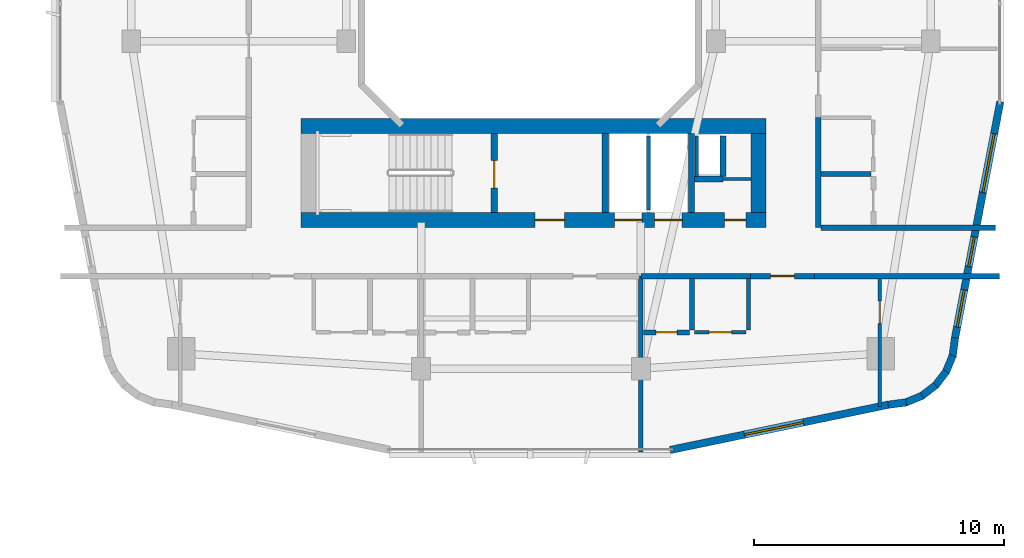
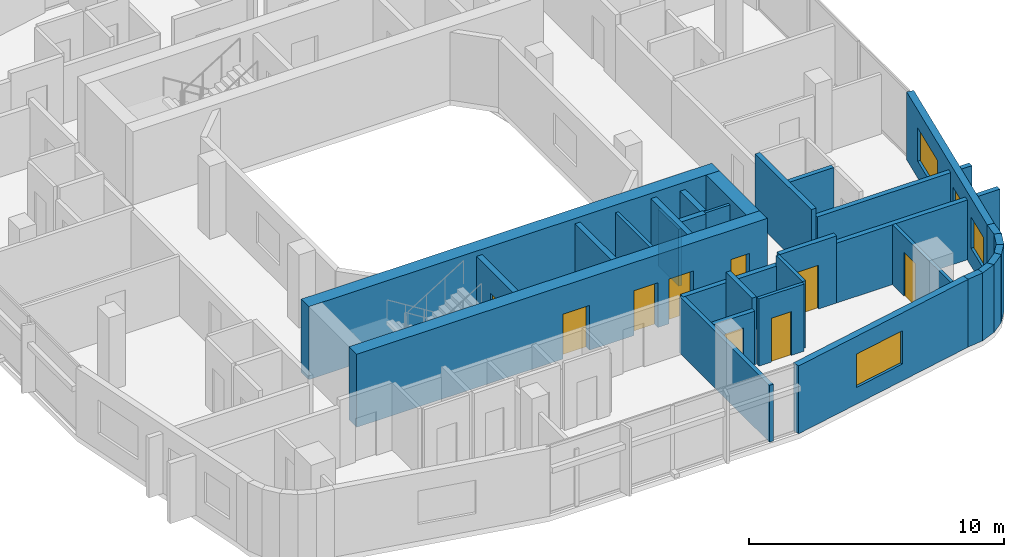
# One storey, part 18 of 26: 31 walls, 9 doors, 4 windows, 13 openings.
"""IFC4 building model written with IfcOpenShell, lengths in metres."""

from ifc_helpers import new_model, si_unit, derived_unit, direction, frame, frame_2d, origin, place, context, subcontext, project, spatial, rectangle, extrude, material, layer, layer_set, type_object, element, fill, save


model = new_model("IFC4")

# Units and contexts
model_context = context("Model", 3, precision=1e-05, world=origin(), true_north=direction((0.0, 1.0)))
body_context = subcontext(model_context, "Body", "Model", "MODEL_VIEW")
ifc_project = project(units=[si_unit("LENGTHUNIT", "METRE"), si_unit("AREAUNIT", "SQUARE_METRE"), si_unit("VOLUMEUNIT", "CUBIC_METRE"), si_unit("PLANEANGLEUNIT", "RADIAN"), si_unit("MASSUNIT", "GRAM", prefix="KILO"), derived_unit("THERMALTRANSMITTANCEUNIT", [(si_unit("POWERUNIT", "WATT"), 1), (si_unit("LENGTHUNIT", "METRE"), -2), (si_unit("THERMODYNAMICTEMPERATUREUNIT", "KELVIN"), -1)])], contexts=[model_context])

# Site, building, storey
site_placement = place(None, origin())
site = spatial("IfcSite", under=ifc_project, at=site_placement, CompositionType="ELEMENT")
building_placement = place(site_placement, origin())
building = spatial("IfcBuilding", under=site, at=building_placement, Name="Kivonza Crest Hotel", CompositionType="ELEMENT")
storey_placement = place(building_placement, frame((0.0, 0.0, 55.5)))
storey = spatial("IfcBuildingStorey", under=building, at=storey_placement, Name="L14", CompositionType="ELEMENT", Elevation=55.5)

# Walls
ifc_material_1 = material(Name="High-density acoustic masonry inter-tenancy wall", Category="masonry")
ifc_layer_1 = layer(ifc_material_1, 0.179931640625)
ifc_layer_set_1 = layer_set([ifc_layer_1], Name="High-density acoustic masonry inter-tenancy wall")
wall_type_1 = type_object("IfcWallType", Name="WL-ACOU-180", PredefinedType="SOLIDWALL", material=ifc_layer_set_1)
wall_1_placement = place(storey_placement, frame((81.39990234375, 5.06005859375, 0.0), z_axis=(0.0, 0.0, 1.0), x_axis=(0.0, 1.0, 0.0)))
element("IfcWall", 1, at=wall_1_placement, inside=storey, type_object=wall_type_1, Name="L14 interior partition WA-L14-T2S-DIV2", PredefinedType="SOLIDWALL", context=body_context, shape_type="SweptSolid", body=[
    extrude(rectangle(XDim=7.0400390625, YDim=0.179931640625, at=frame_2d((3.52001953125, 0.0))), origin(), (0.0, 0.0, 1.0), 2.72509765625),
])
ifc_material_2 = material(Name="Autoclaved aerated concrete blockwork", Category="masonry")
ifc_layer_2 = layer(ifc_material_2, 0.219970703125)
ifc_layer_set_2 = layer_set([ifc_layer_2], Name="Autoclaved aerated concrete blockwork")
wall_type_2 = type_object("IfcWallType", Name="WL-ACOU-220", PredefinedType="SOLIDWALL", material=ifc_layer_set_2)
wall_2_placement = place(storey_placement, frame((81.39990234375, 12.10009765625, 0.0), z_axis=(0.0, 0.0, 1.0), x_axis=(1.0, 0.0, 0.0)))
element("IfcWall", 2, at=wall_2_placement, inside=storey, type_object=wall_type_2, Name="L14 interior partition WA-L14-A05-LCORR", PredefinedType="SOLIDWALL", context=body_context, shape_type="SweptSolid", body=[
    extrude(rectangle(XDim=4.380126953125, YDim=0.219970703125, at=frame_2d((2.18994140625, 0.0))), origin(), (0.0, 0.0, 1.0), 2.72509765625),
])
wall_3_placement = place(storey_placement, frame((88.35009765625, 12.10009765625, 0.0), z_axis=(0.0, 0.0, 1.0), x_axis=(1.0, 0.0, 0.0)))
element("IfcWall", 3, at=wall_3_placement, inside=storey, type_object=wall_type_2, Name="L14 interior partition WA-L14-A05-RCORR", PredefinedType="SOLIDWALL", context=body_context, shape_type="SweptSolid", body=[
    extrude(rectangle(XDim=7.409912109375, YDim=0.219970703125, at=frame_2d((3.705078125, 0.0))), origin(), (0.0, 0.0, 1.0), 2.864990234375),
])

# Wall, opening, door
wall_4_placement = place(storey_placement, frame((85.780029296875, 12.10009765625, 0.0), z_axis=(0.0, 0.0, 1.0), x_axis=(1.0, 0.0, 0.0)))
wall_4 = element("IfcWall", 4, at=wall_4_placement, inside=storey, type_object=wall_type_2, Name="L14 interior partition WA-L14-A05-MCORR", PredefinedType="SOLIDWALL", context=body_context, shape_type="SweptSolid", body=[
    extrude(rectangle(XDim=2.570068359375, YDim=0.219970703125, at=frame_2d((1.28515625, 0.0))), origin(), (0.0, 0.0, 1.0), 3.219970703125),
])
opening_1_placement = place(wall_4_placement, frame((0.81005859375, 0.0, 0.0)))
opening_1 = element("IfcOpeningElement", 5, at=opening_1_placement, cuts=wall_4, Name="Opening DU-60", PredefinedType="OPENING", context=body_context, shape_type="SweptSolid", body=[
    extrude(rectangle(XDim=0.949951171875, YDim=2.10009765625, at=frame_2d((0.47509765625, 1.050048828125))), frame((0.0, 0.1201171875, 0.0), z_axis=(0.0, -1.0, 0.0), x_axis=(1.0, 0.0, 0.0)), (0.0, 0.0, 1.0), 0.239990234375),
])
ifc_material_3 = material(Name="Hardwood timber oak", Category="wood")
door_type_1 = type_object("IfcDoorType", Name="DR-UNIT-950", OperationType="NOTDEFINED", PredefinedType="DOOR", material=ifc_material_3)
door_1_placement = place(opening_1_placement, frame((0.949951171875, 0.0, 0.0), z_axis=(0.0, 0.0, 1.0), x_axis=(-1.0, 0.0, 0.0)))
door_1 = element("IfcDoor", 6, at=door_1_placement, inside=storey, type_object=door_type_1, Name="L14 A05 apartment entrance fire door", OperationType="SINGLE_SWING_LEFT", OverallHeight=2.10009765625, OverallWidth=0.949951171875, PredefinedType="DOOR", context=body_context, shape_type="SweptSolid", body=[
    extrude(rectangle(XDim=0.949951171875, YDim=2.10009765625, at=frame_2d((0.47509765625, 1.050048828125))), frame((0.0, 0.02490234375, 0.0), z_axis=(0.0, -1.0, 0.0), x_axis=(1.0, 0.0, 0.0)), (0.0, 0.0, 1.0), 0.050048828125),
])
fill(opening_1, door_1)

# Walls
wall_5_placement = place(storey_placement, frame((88.60009765625, 14.0400390625, 0.0), z_axis=(0.0, 0.0, 1.0), x_axis=(1.0, 0.0, 0.0)))
element("IfcWall", 7, at=wall_5_placement, inside=storey, type_object=wall_type_2, Name="L14 interior partition WA-L14-T2E-ENDS", PredefinedType="SOLIDWALL", context=body_context, shape_type="SweptSolid", body=[
    extrude(rectangle(XDim=7.0, YDim=0.219970703125, at=frame_2d((3.5, 0.0))), origin(), (0.0, 0.0, 1.0), 2.864990234375),
])
wall_6_placement = place(storey_placement, frame((88.5, 14.0400390625, 0.0), z_axis=(0.0, 0.0, 1.0), x_axis=(0.0, 1.0, 0.0)))
element("IfcWall", 8, at=wall_6_placement, inside=storey, type_object=wall_type_2, Name="L14 interior partition WA-L14-A08-BCORR", PredefinedType="SOLIDWALL", context=body_context, shape_type="SweptSolid", body=[
    extrude(rectangle(XDim=4.39990234375, YDim=0.219970703125, at=frame_2d((2.199951171875, 0.0))), origin(), (0.0, 0.0, 1.0), 3.219970703125),
])

# Wall, openings, doors
ifc_material_4 = material(Name="Concrete C60/75", Category="concrete")
ifc_layer_3 = layer(ifc_material_4, 0.60009765625)
ifc_layer_set_3 = layer_set([ifc_layer_3], Name="Concrete C60/75")
wall_type_3 = type_object("IfcWallType", Name="WL-CORE-600", PredefinedType="SHEAR", material=ifc_layer_set_3)
wall_7_placement = place(storey_placement, frame((67.800048828125, 14.340087890625, 0.0), z_axis=(0.0, 0.0, 1.0), x_axis=(1.0, 0.0, 0.0)))
wall_7 = element("IfcWall", 9, at=wall_7_placement, inside=storey, type_object=wall_type_3, Name="Core wall T2-S South L14", PredefinedType="SHEAR", context=body_context, shape_type="SweptSolid", body=[
    extrude(rectangle(XDim=18.599853515625, YDim=0.60009765625, at=frame_2d((9.2998046875, 0.0))), origin(), (0.0, 0.0, 1.0), 3.5),
])
opening_2_placement = place(wall_7_placement, frame((9.35009765625, 0.0, 0.0)))
opening_2 = element("IfcOpeningElement", 10, at=opening_2_placement, cuts=wall_7, Name="Opening DF-60", PredefinedType="OPENING", context=body_context, shape_type="SweptSolid", body=[
    extrude(rectangle(XDim=1.199951171875, YDim=2.14990234375, at=frame_2d((0.60009765625, 1.074951171875))), frame((0.0, 0.31005859375, 0.0), z_axis=(0.0, -1.0, 0.0), x_axis=(1.0, 0.0, 0.0)), (0.0, 0.0, 1.0), 0.6201171875),
])
opening_3_placement = place(wall_7_placement, frame((16.949951171875, 0.0, 0.0)))
opening_3 = element("IfcOpeningElement", 11, at=opening_3_placement, cuts=wall_7, Name="Opening DF-60R", PredefinedType="OPENING", context=body_context, shape_type="SweptSolid", body=[
    extrude(rectangle(XDim=0.85009765625, YDim=2.10009765625, at=frame_2d((0.425048828125, 1.050048828125))), frame((0.0, 0.31005859375, 0.0), z_axis=(0.0, -1.0, 0.0), x_axis=(1.0, 0.0, 0.0)), (0.0, 0.0, 1.0), 0.6201171875),
])
opening_4_placement = place(wall_7_placement, frame((12.550048828125, 0.0, 0.0)))
opening_4 = element("IfcOpeningElement", 12, at=opening_4_placement, cuts=wall_7, Name="Opening LD-120", PredefinedType="OPENING", context=body_context, shape_type="SweptSolid", body=[
    extrude(rectangle(XDim=1.10009765625, YDim=2.14990234375, at=frame_2d((0.550048828125, 1.074951171875))), frame((0.0, 0.31005859375, 0.0), z_axis=(0.0, -1.0, 0.0), x_axis=(1.0, 0.0, 0.0)), (0.0, 0.0, 1.0), 0.6201171875),
])
opening_5_placement = place(wall_7_placement, frame((14.14990234375, 0.0, 0.0)))
opening_5 = element("IfcOpeningElement", 13, at=opening_5_placement, cuts=wall_7, Name="Opening LD-120", PredefinedType="OPENING", context=body_context, shape_type="SweptSolid", body=[
    extrude(rectangle(XDim=1.10009765625, YDim=2.14990234375, at=frame_2d((0.550048828125, 1.074951171875))), frame((0.0, 0.31005859375, 0.0), z_axis=(0.0, -1.0, 0.0), x_axis=(1.0, 0.0, 0.0)), (0.0, 0.0, 1.0), 0.6201171875),
])
door_type_2 = type_object("IfcDoorType", Name="DR-FD60-1200", OperationType="NOTDEFINED", PredefinedType="DOOR", material=ifc_material_3)
door_2_placement = place(opening_2_placement, frame((1.199951171875, 0.0, 0.0), z_axis=(0.0, 0.0, 1.0), x_axis=(-1.0, 0.0, 0.0)))
door_2 = element("IfcDoor", 14, at=door_2_placement, inside=storey, type_object=door_type_2, Name="L14 T2-S firefighting lobby fire door", OperationType="SINGLE_SWING_LEFT", OverallHeight=2.14990234375, OverallWidth=1.199951171875, PredefinedType="DOOR", context=body_context, shape_type="SweptSolid", body=[
    extrude(rectangle(XDim=1.199951171875, YDim=2.14990234375, at=frame_2d((0.60009765625, 1.074951171875))), frame((0.0, 0.02490234375, 0.0), z_axis=(0.0, -1.0, 0.0), x_axis=(1.0, 0.0, 0.0)), (0.0, 0.0, 1.0), 0.050048828125),
])
fill(opening_2, door_2)
door_type_3 = type_object("IfcDoorType", Name="DR-FD60-850", OperationType="NOTDEFINED", PredefinedType="DOOR", material=ifc_material_3)
door_3_placement = place(opening_3_placement, frame((0.85009765625, 0.0, 0.0), z_axis=(0.0, 0.0, 1.0), x_axis=(-1.0, 0.0, 0.0)))
door_3 = element("IfcDoor", 15, at=door_3_placement, inside=storey, type_object=door_type_3, Name="L14 T2-S core room door", OperationType="SINGLE_SWING_RIGHT", OverallHeight=2.10009765625, OverallWidth=0.85009765625, PredefinedType="DOOR", context=body_context, shape_type="SweptSolid", body=[
    extrude(rectangle(XDim=0.85009765625, YDim=2.10009765625, at=frame_2d((0.425048828125, 1.050048828125))), frame((0.0, 0.02490234375, 0.0), z_axis=(0.0, -1.0, 0.0), x_axis=(1.0, 0.0, 0.0)), (0.0, 0.0, 1.0), 0.050048828125),
])
fill(opening_3, door_3)
ifc_material_5 = material(Name="Stainless steel", Category="steel")
door_type_4 = type_object("IfcDoorType", Name="DR-LD120-1100", OperationType="NOTDEFINED", PredefinedType="DOOR", material=ifc_material_5)
door_4_placement = place(opening_4_placement, frame((1.10009765625, 0.0, 0.0), z_axis=(0.0, 0.0, 1.0), x_axis=(-1.0, 0.0, 0.0)))
door_4 = element("IfcDoor", 16, at=door_4_placement, inside=storey, type_object=door_type_4, Name="L14 PL-T2-1 passenger lift sliding landing door", OperationType="DOUBLE_DOOR_SLIDING", OverallHeight=2.14990234375, OverallWidth=1.10009765625, PredefinedType="DOOR", context=body_context, shape_type="SweptSolid", body=[
    extrude(rectangle(XDim=1.10009765625, YDim=2.14990234375, at=frame_2d((0.550048828125, 1.074951171875))), frame((0.0, 0.02490234375, 0.0), z_axis=(0.0, -1.0, 0.0), x_axis=(1.0, 0.0, 0.0)), (0.0, 0.0, 1.0), 0.050048828125),
])
fill(opening_4, door_4)
door_5_placement = place(opening_5_placement, frame((1.10009765625, 0.0, 0.0), z_axis=(0.0, 0.0, 1.0), x_axis=(-1.0, 0.0, 0.0)))
door_5 = element("IfcDoor", 17, at=door_5_placement, inside=storey, type_object=door_type_4, Name="L14 PL-T2-2 passenger lift sliding landing door", OperationType="DOUBLE_DOOR_SLIDING", OverallHeight=2.14990234375, OverallWidth=1.10009765625, PredefinedType="DOOR", context=body_context, shape_type="SweptSolid", body=[
    extrude(rectangle(XDim=1.10009765625, YDim=2.14990234375, at=frame_2d((0.550048828125, 1.074951171875))), frame((0.0, 0.02490234375, 0.0), z_axis=(0.0, -1.0, 0.0), x_axis=(1.0, 0.0, 0.0)), (0.0, 0.0, 1.0), 0.050048828125),
])
fill(opening_5, door_5)

# Walls
wall_8_placement = place(storey_placement, frame((67.800048828125, 18.10009765625, 0.0), z_axis=(0.0, 0.0, 1.0), x_axis=(1.0, 0.0, 0.0)))
element("IfcWall", 18, at=wall_8_placement, inside=storey, type_object=wall_type_3, Name="Core wall T2-S North L14", PredefinedType="SHEAR", context=body_context, shape_type="SweptSolid", body=[
    extrude(rectangle(XDim=18.599853515625, YDim=0.60009765625, at=frame_2d((9.2998046875, 0.0))), origin(), (0.0, 0.0, 1.0), 3.5),
])
wall_9_placement = place(storey_placement, frame((86.10009765625, 14.639892578125, 0.0), z_axis=(0.0, 0.0, 1.0), x_axis=(0.0, 1.0, 0.0)))
element("IfcWall", 19, at=wall_9_placement, inside=storey, type_object=wall_type_3, Name="Core wall T2-S East L14", PredefinedType="SHEAR", context=body_context, shape_type="SweptSolid", body=[
    extrude(rectangle(XDim=3.16015625, YDim=0.60009765625, at=frame_2d((1.580078125, 0.0))), origin(), (0.0, 0.0, 1.0), 3.5),
])

# Wall, opening, window
ifc_material_6 = material(Name="Precast concrete C40/50", Category="concrete")
ifc_layer_4 = layer(ifc_material_6, 0.300048828125)
ifc_layer_set_4 = layer_set([ifc_layer_4], Name="Precast concrete C40/50")
wall_type_4 = type_object("IfcWallType", Name="WL-EXT-300", PredefinedType="STANDARD", material=ifc_layer_set_4)
wall_10_placement = place(storey_placement, frame((82.56396484375, 5.135986328125, 0.0), z_axis=(0.0, 0.0, 1.0), x_axis=(0.979128391325, 0.203242695569, 0.0)))
wall_10 = element("IfcWall", 20, at=wall_10_placement, inside=storey, type_object=wall_type_4, Name="L14 T2 exterior insulated wall 9", PredefinedType="STANDARD", context=body_context, shape_type="SweptSolid", body=[
    extrude(rectangle(XDim=8.92041015625, YDim=0.300048828125, at=frame_2d((4.460205078125, 0.0))), origin(), (0.0, 0.0, 1.0), 3.25),
])
opening_6_placement = place(wall_10_placement, frame((3.048095703125, 0.0, 0.800048828125)))
opening_6 = element("IfcOpeningElement", 21, at=opening_6_placement, cuts=wall_10, Name="Opening WN-05", PredefinedType="OPENING", context=body_context, shape_type="SweptSolid", body=[
    extrude(rectangle(XDim=2.39990234375, YDim=1.60009765625, at=frame_2d((1.199951171875, 0.800048828125))), frame((0.0, 0.16015625, 0.0), z_axis=(0.0, -1.0, 0.0), x_axis=(1.0, 0.0, 0.0)), (0.0, 0.0, 1.0), 0.320068359375),
])
ifc_material_7 = material(Name="Thermally broken bronze aluminium and low-E double glazing", Category="aluminium")
window_type_1 = type_object("IfcWindowType", Name="WN-240x160", PartitioningType="TRIPLE_PANEL_VERTICAL", PredefinedType="WINDOW", material=ifc_material_7)
window_1_placement = place(opening_6_placement, origin())
window_1 = element("IfcWindow", 22, at=window_1_placement, inside=storey, type_object=window_type_1, Name="L14 T2 facade window 9", OverallHeight=1.60009765625, OverallWidth=2.39990234375, PartitioningType="SINGLE_PANEL", PredefinedType="WINDOW", context=body_context, shape_type="SweptSolid", body=[
    extrude(rectangle(XDim=2.39990234375, YDim=1.60009765625, at=frame_2d((1.199951171875, 0.800048828125))), frame((0.0, 0.030029296875, 0.0), z_axis=(0.0, -1.0, 0.0), x_axis=(1.0, 0.0, 0.0)), (0.0, 0.0, 1.0), 0.06005859375),
])
fill(opening_6, window_1)

# Walls
wall_11_placement = place(storey_placement, frame((91.29296875, 6.947998046875, 0.0), z_axis=(0.0, 0.0, 1.0), x_axis=(0.991486167159, 0.13021205909, 0.0)))
element("IfcWall", 23, at=wall_11_placement, inside=storey, type_object=wall_type_4, Name="L14 T2 exterior insulated wall 10", PredefinedType="STANDARD", context=body_context, shape_type="SweptSolid", body=[
    extrude(rectangle(XDim=0.729248046875, YDim=0.300048828125, at=frame_2d((0.36474609375, 0.0))), origin(), (0.0, 0.0, 1.0), 3.25),
])
for number, where, z_axis, x_axis, name in (
    (24, (91.965087890625, 7.02392578125, 0.0), (0.0, 0.0, 1.0), (0.923521684703, 0.383546213491, 0.0), "L14 T2 exterior insulated wall 11"),
    (25, (92.60888671875, 7.279052734375, 0.0), (0.0, 0.0, 1.0), (0.79363269798, 0.608397189915, 0.0), "L14 T2 exterior insulated wall 12"),
    (26, (93.166015625, 7.69091796875, 0.0), (0.0, 0.0, 1.0), (0.608603261071, 0.793474681772, 0.0), "L14 T2 exterior insulated wall 13"),
):
    element("IfcWall", number, at=place(storey_placement, frame(where, z_axis=z_axis, x_axis=x_axis)), inside=storey, type_object=wall_type_4, Name=name, PredefinedType="STANDARD", context=body_context, shape_type="SweptSolid", body=[
        extrude(rectangle(XDim=0.74609375, YDim=0.300048828125, at=frame_2d((0.373046875, 0.0))), origin(), (0.0, 0.0, 1.0), 3.25),
    ])
wall_12_placement = place(storey_placement, frame((93.595947265625, 8.23388671875, 0.0), z_axis=(0.0, 0.0, 1.0), x_axis=(0.383430326427, 0.923569805037, 0.0)))
element("IfcWall", 27, at=wall_12_placement, inside=storey, type_object=wall_type_4, Name="L14 T2 exterior insulated wall 14", PredefinedType="STANDARD", context=body_context, shape_type="SweptSolid", body=[
    extrude(rectangle(XDim=0.746337890625, YDim=0.300048828125, at=frame_2d((0.373046875, 0.0))), origin(), (0.0, 0.0, 1.0), 3.25),
])
wall_13_placement = place(storey_placement, frame((93.873046875, 8.868896484375, 0.0), z_axis=(0.0, 0.0, 1.0), x_axis=(0.129339184068, 0.991600411186, 0.0)))
element("IfcWall", 28, at=wall_13_placement, inside=storey, type_object=wall_type_4, Name="L14 T2 exterior insulated wall 15", PredefinedType="STANDARD", context=body_context, shape_type="SweptSolid", body=[
    extrude(rectangle(XDim=0.764404296875, YDim=0.300048828125, at=frame_2d((0.38232421875, 0.0))), origin(), (0.0, 0.0, 1.0), 3.25),
])

# Wall, openings, windows
wall_14_placement = place(storey_placement, frame((93.970947265625, 9.6201171875, 0.0), z_axis=(0.0, 0.0, 1.0), x_axis=(0.188087874316, 0.982152203854, 0.0)))
wall_14 = element("IfcWall", 29, at=wall_14_placement, inside=storey, type_object=wall_type_4, Name="L14 T2 exterior insulated wall 16", PredefinedType="STANDARD", context=body_context, shape_type="SweptSolid", body=[
    extrude(rectangle(XDim=9.6337890625, YDim=0.300048828125, at=frame_2d((4.81689453125, 0.0))), origin(), (0.0, 0.0, 1.0), 3.25),
])
opening_7_placement = place(wall_14_placement, frame((0.451904296875, 0.0, 0.85009765625)))
opening_7 = element("IfcOpeningElement", 30, at=opening_7_placement, cuts=wall_14, Name="Opening WN-02", PredefinedType="OPENING", context=body_context, shape_type="SweptSolid", body=[
    extrude(rectangle(XDim=1.5, YDim=1.5, at=frame_2d((0.75, 0.75))), frame((0.0, 0.16015625, 0.0), z_axis=(0.0, -1.0, 0.0), x_axis=(1.0, 0.0, 0.0)), (0.0, 0.0, 1.0), 0.320068359375),
])
opening_8_placement = place(wall_14_placement, frame((2.9130859375, 0.0, 0.85009765625)))
opening_8 = element("IfcOpeningElement", 31, at=opening_8_placement, cuts=wall_14, Name="Opening WN-01", PredefinedType="OPENING", context=body_context, shape_type="SweptSolid", body=[
    extrude(rectangle(XDim=1.199951171875, YDim=1.5, at=frame_2d((0.60009765625, 0.75))), frame((0.0, 0.16015625, 0.0), z_axis=(0.0, -1.0, 0.0), x_axis=(1.0, 0.0, 0.0)), (0.0, 0.0, 1.0), 0.320068359375),
])
opening_9_placement = place(wall_14_placement, frame((5.927978515625, 0.0, 0.800048828125)))
opening_9 = element("IfcOpeningElement", 32, at=opening_9_placement, cuts=wall_14, Name="Opening WN-05", PredefinedType="OPENING", context=body_context, shape_type="SweptSolid", body=[
    extrude(rectangle(XDim=2.39990234375, YDim=1.60009765625, at=frame_2d((1.199951171875, 0.800048828125))), frame((0.0, 0.16015625, 0.0), z_axis=(0.0, -1.0, 0.0), x_axis=(1.0, 0.0, 0.0)), (0.0, 0.0, 1.0), 0.320068359375),
])
window_type_2 = type_object("IfcWindowType", Name="WN-120x150", PartitioningType="SINGLE_PANEL", PredefinedType="WINDOW", material=ifc_material_7)
window_2_placement = place(opening_8_placement, origin())
window_2 = element("IfcWindow", 33, at=window_2_placement, inside=storey, type_object=window_type_2, Name="L14 T2 facade window 16 bay 2", OverallHeight=1.5, OverallWidth=1.199951171875, PartitioningType="SINGLE_PANEL", PredefinedType="WINDOW", context=body_context, shape_type="SweptSolid", body=[
    extrude(rectangle(XDim=1.199951171875, YDim=1.5, at=frame_2d((0.60009765625, 0.75))), frame((0.0, 0.030029296875, 0.0), z_axis=(0.0, -1.0, 0.0), x_axis=(1.0, 0.0, 0.0)), (0.0, 0.0, 1.0), 0.06005859375),
])
fill(opening_8, window_2)
window_type_3 = type_object("IfcWindowType", Name="WN-150x150", PartitioningType="DOUBLE_PANEL_VERTICAL", PredefinedType="WINDOW", material=ifc_material_7)
window_3_placement = place(opening_7_placement, origin())
window_3 = element("IfcWindow", 34, at=window_3_placement, inside=storey, type_object=window_type_3, Name="L14 T2 facade window 16 bay 1", OverallHeight=1.5, OverallWidth=1.5, PartitioningType="SINGLE_PANEL", PredefinedType="WINDOW", context=body_context, shape_type="SweptSolid", body=[
    extrude(rectangle(XDim=1.5, YDim=1.5, at=frame_2d((0.75, 0.75))), frame((0.0, 0.030029296875, 0.0), z_axis=(0.0, -1.0, 0.0), x_axis=(1.0, 0.0, 0.0)), (0.0, 0.0, 1.0), 0.06005859375),
])
fill(opening_7, window_3)
window_4_placement = place(opening_9_placement, origin())
window_4 = element("IfcWindow", 35, at=window_4_placement, inside=storey, type_object=window_type_1, Name="L14 T2 facade window 16 bay 3", OverallHeight=1.60009765625, OverallWidth=2.39990234375, PartitioningType="SINGLE_PANEL", PredefinedType="WINDOW", context=body_context, shape_type="SweptSolid", body=[
    extrude(rectangle(XDim=2.39990234375, YDim=1.60009765625, at=frame_2d((1.199951171875, 0.800048828125))), frame((0.0, 0.030029296875, 0.0), z_axis=(0.0, -1.0, 0.0), x_axis=(1.0, 0.0, 0.0)), (0.0, 0.0, 1.0), 0.06005859375),
])
fill(opening_9, window_4)

# Walls
ifc_material_8 = material(Name="Concrete blockwork fire-compartment wall", Category="masonry")
ifc_layer_5 = layer(ifc_material_8, 0.25)
ifc_layer_set_5 = layer_set([ifc_layer_5], Name="Concrete blockwork fire-compartment wall")
wall_type_5 = type_object("IfcWallType", Name="WL-FIRE-250", PredefinedType="SOLIDWALL", material=ifc_layer_set_5)
wall_15_placement = place(storey_placement, frame((84.679931640625, 16.080078125, 0.0), z_axis=(0.0, 0.0, 1.0), x_axis=(0.0, 1.0, 0.0)))
element("IfcWall", 36, at=wall_15_placement, inside=storey, type_object=wall_type_5, Name="L14 interior partition WA-L14-T2-S-MEPR-E", PredefinedType="SOLIDWALL", context=body_context, shape_type="SweptSolid", body=[
    extrude(rectangle(XDim=1.619873046875, YDim=0.25, at=frame_2d((0.81005859375, 0.0))), origin(), (0.0, 0.0, 1.0), 3.219970703125),
])
wall_16_placement = place(storey_placement, frame((83.550048828125, 15.97998046875, 0.0), z_axis=(0.0, 0.0, 1.0), x_axis=(1.0, 0.0, 0.0)))
element("IfcWall", 37, at=wall_16_placement, inside=storey, type_object=wall_type_5, Name="L14 interior partition WA-L14-T2-S-MEPR-H", PredefinedType="SOLIDWALL", context=body_context, shape_type="SweptSolid", body=[
    extrude(rectangle(XDim=1.1298828125, YDim=0.25, at=frame_2d((0.56494140625, 0.0))), origin(), (0.0, 0.0, 1.0), 3.219970703125),
])
ifc_material_9 = material(Name="Metal-stud gypsum board partition", Category="gypsum")
ifc_layer_6 = layer(ifc_material_9, 0.125)
ifc_layer_set_6 = layer_set([ifc_layer_6], Name="Metal-stud gypsum board partition")
wall_type_6 = type_object("IfcWallType", Name="WL-PART-125", PredefinedType="PARTITIONING", material=ifc_layer_set_6)
wall_17_placement = place(storey_placement, frame((84.679931640625, 15.97998046875, 0.0), z_axis=(0.0, 0.0, 1.0), x_axis=(1.0, 0.0, 0.0)))
element("IfcWall", 38, at=wall_17_placement, inside=storey, type_object=wall_type_6, Name="L14 interior partition WP-L14-T2-S-T2H", PredefinedType="PARTITIONING", context=body_context, shape_type="SweptSolid", body=[
    extrude(rectangle(XDim=1.1201171875, YDim=0.125, at=frame_2d((0.56005859375, 0.0))), origin(), (0.0, 0.0, 1.0), 3.219970703125),
])
ifc_material_10 = material(Name="Twin-stud acoustic gypsum board partition", Category="gypsum")
ifc_layer_7 = layer(ifc_material_10, 0.14990234375)
ifc_layer_set_7 = layer_set([ifc_layer_7], Name="Twin-stud acoustic gypsum board partition")
wall_type_7 = type_object("IfcWallType", Name="WL-PART-150", PredefinedType="PARTITIONING", material=ifc_layer_set_7)
wall_18_placement = place(storey_placement, frame((83.6298828125, 16.080078125, 0.0), z_axis=(0.0, 0.0, 1.0), x_axis=(0.0, 1.0, 0.0)))
element("IfcWall", 39, at=wall_18_placement, inside=storey, type_object=wall_type_7, Name="L14 interior partition WA-L14-T2-S-MEPR-W", PredefinedType="PARTITIONING", context=body_context, shape_type="SweptSolid", body=[
    extrude(rectangle(XDim=1.619873046875, YDim=0.14990234375, at=frame_2d((0.81005859375, 0.0))), origin(), (0.0, 0.0, 1.0), 2.72509765625),
])
wall_19_placement = place(storey_placement, frame((81.699951171875, 14.739990234375, 0.0), z_axis=(0.0, 0.0, 1.0), x_axis=(0.0, 1.0, 0.0)))
element("IfcWall", 40, at=wall_19_placement, inside=storey, type_object=wall_type_7, Name="L14 interior partition WP-L14-T2-S-BSH-1", PredefinedType="PARTITIONING", context=body_context, shape_type="SweptSolid", body=[
    extrude(rectangle(XDim=2.9599609375, YDim=0.14990234375, at=frame_2d((1.47998046875, 0.0))), origin(), (0.0, 0.0, 1.0), 3.219970703125),
])

# Wall, opening, door
wall_20_placement = place(storey_placement, frame((90.9599609375, 6.886962890625, 0.0), z_axis=(0.0, 0.0, 1.0), x_axis=(0.0, 1.0, 0.0)))
wall_20 = element("IfcWall", 41, at=wall_20_placement, inside=storey, type_object=wall_type_7, Name="L14 interior partition WP-L14-A05-BDW1", PredefinedType="PARTITIONING", context=body_context, shape_type="SweptSolid", body=[
    extrude(rectangle(XDim=5.113037109375, YDim=0.14990234375, at=frame_2d((2.556640625, 0.0))), origin(), (0.0, 0.0, 1.0), 2.864990234375),
])
opening_10_placement = place(wall_20_placement, frame((3.31005859375, 0.0, 0.0)))
opening_10 = element("IfcOpeningElement", 42, at=opening_10_placement, cuts=wall_20, Name="Opening DI-90", PredefinedType="OPENING", context=body_context, shape_type="SweptSolid", body=[
    extrude(rectangle(XDim=0.89990234375, YDim=2.10009765625, at=frame_2d((0.449951171875, 1.050048828125))), frame((0.0, 0.0849609375, 0.0), z_axis=(0.0, -1.0, 0.0), x_axis=(1.0, 0.0, 0.0)), (0.0, 0.0, 1.0), 0.169921875),
])
door_type_5 = type_object("IfcDoorType", Name="DR-INT-900", OperationType="NOTDEFINED", PredefinedType="DOOR", material=ifc_material_3)
door_6_placement = place(opening_10_placement, origin())
door_6 = element("IfcDoor", 43, at=door_6_placement, inside=storey, type_object=door_type_5, Name="L14 A05 bedroom 1 door", OperationType="SINGLE_SWING_RIGHT", OverallHeight=2.10009765625, OverallWidth=0.89990234375, PredefinedType="DOOR", context=body_context, shape_type="SweptSolid", body=[
    extrude(rectangle(XDim=0.89990234375, YDim=2.10009765625, at=frame_2d((0.449951171875, 1.050048828125))), frame((0.0, 0.02490234375, 0.0), z_axis=(0.0, -1.0, 0.0), x_axis=(1.0, 0.0, 0.0)), (0.0, 0.0, 1.0), 0.050048828125),
])
fill(opening_10, door_6)

# Wall
wall_21_placement = place(storey_placement, frame((85.699951171875, 9.949951171875, 0.0), z_axis=(0.0, 0.0, 1.0), x_axis=(0.0, 1.0, 0.0)))
element("IfcWall", 44, at=wall_21_placement, inside=storey, type_object=wall_type_7, Name="L14 interior partition WP-L14-A05-KF", PredefinedType="PARTITIONING", context=body_context, shape_type="SweptSolid", body=[
    extrude(rectangle(XDim=2.050048828125, YDim=0.14990234375, at=frame_2d((1.02490234375, 0.0))), origin(), (0.0, 0.0, 1.0), 3.219970703125),
])

# Wall, opening, door
wall_22_placement = place(storey_placement, frame((83.550048828125, 9.85009765625, 0.0), z_axis=(0.0, 0.0, 1.0), x_axis=(1.0, 0.0, 0.0)))
wall_22 = element("IfcWall", 45, at=wall_22_placement, inside=storey, type_object=wall_type_7, Name="L14 interior partition WP-L14-A05-KSVC", PredefinedType="PARTITIONING", context=body_context, shape_type="SweptSolid", body=[
    extrude(rectangle(XDim=2.050048828125, YDim=0.14990234375, at=frame_2d((1.02490234375, 0.0))), origin(), (0.0, 0.0, 1.0), 3.219970703125),
])
opening_11_placement = place(wall_22_placement, frame((0.574951171875, 0.0, 0.0)))
opening_11 = element("IfcOpeningElement", 46, at=opening_11_placement, cuts=wall_22, Name="Opening DI-90", PredefinedType="OPENING", context=body_context, shape_type="SweptSolid", body=[
    extrude(rectangle(XDim=0.89990234375, YDim=2.10009765625, at=frame_2d((0.449951171875, 1.050048828125))), frame((0.0, 0.0849609375, 0.0), z_axis=(0.0, -1.0, 0.0), x_axis=(1.0, 0.0, 0.0)), (0.0, 0.0, 1.0), 0.169921875),
])
door_7_placement = place(opening_11_placement, frame((0.89990234375, 0.0, 0.0), z_axis=(0.0, 0.0, 1.0), x_axis=(-1.0, 0.0, 0.0)))
door_7 = element("IfcDoor", 47, at=door_7_placement, inside=storey, type_object=door_type_5, Name="L14 A05 apartment kitchen door", OperationType="SINGLE_SWING_LEFT", OverallHeight=2.10009765625, OverallWidth=0.89990234375, PredefinedType="DOOR", context=body_context, shape_type="SweptSolid", body=[
    extrude(rectangle(XDim=0.89990234375, YDim=2.10009765625, at=frame_2d((0.449951171875, 1.050048828125))), frame((0.0, 0.02490234375, 0.0), z_axis=(0.0, -1.0, 0.0), x_axis=(1.0, 0.0, 0.0)), (0.0, 0.0, 1.0), 0.050048828125),
])
fill(opening_11, door_7)

# Wall
ifc_material_11 = material(Name="Moisture-resistant plumbing chase partition wall", Category="gypsum")
ifc_layer_8 = layer(ifc_material_11, 0.199951171875)
ifc_layer_set_8 = layer_set([ifc_layer_8], Name="Moisture-resistant plumbing chase partition wall")
wall_type_8 = type_object("IfcWallType", Name="WL-PLUMB-200", PredefinedType="PLUMBINGWALL", material=ifc_layer_set_8)
wall_23_placement = place(storey_placement, frame((83.449951171875, 9.949951171875, 0.0), z_axis=(0.0, 0.0, 1.0), x_axis=(0.0, 1.0, 0.0)))
element("IfcWall", 48, at=wall_23_placement, inside=storey, type_object=wall_type_8, Name="L14 interior partition WW-L14-A05-BK", PredefinedType="PLUMBINGWALL", context=body_context, shape_type="SweptSolid", body=[
    extrude(rectangle(XDim=2.050048828125, YDim=0.199951171875, at=frame_2d((1.02490234375, 0.0))), origin(), (0.0, 0.0, 1.0), 3.219970703125),
])

# Wall, opening, door
wall_24_placement = place(storey_placement, frame((81.5, 9.85009765625, 0.0), z_axis=(0.0, 0.0, 1.0), x_axis=(1.0, 0.0, 0.0)))
wall_24 = element("IfcWall", 49, at=wall_24_placement, inside=storey, type_object=wall_type_8, Name="L14 interior partition WW-L14-A05-BSVC", PredefinedType="PLUMBINGWALL", context=body_context, shape_type="SweptSolid", body=[
    extrude(rectangle(XDim=1.85009765625, YDim=0.199951171875, at=frame_2d((0.925048828125, 0.0))), origin(), (0.0, 0.0, 1.0), 2.72509765625),
])
opening_12_placement = place(wall_24_placement, frame((0.5, 0.0, 0.0)))
opening_12 = element("IfcOpeningElement", 50, at=opening_12_placement, cuts=wall_24, Name="Opening DI-85", PredefinedType="OPENING", context=body_context, shape_type="SweptSolid", body=[
    extrude(rectangle(XDim=0.85009765625, YDim=2.10009765625, at=frame_2d((0.425048828125, 1.050048828125))), frame((0.0, 0.10986328125, 0.0), z_axis=(0.0, -1.0, 0.0), x_axis=(1.0, 0.0, 0.0)), (0.0, 0.0, 1.0), 0.219970703125),
])
door_type_6 = type_object("IfcDoorType", Name="DR-INT-850", OperationType="NOTDEFINED", PredefinedType="DOOR", material=ifc_material_3)
door_8_placement = place(opening_12_placement, frame((0.85009765625, 0.0, 0.0), z_axis=(0.0, 0.0, 1.0), x_axis=(-1.0, 0.0, 0.0)))
door_8 = element("IfcDoor", 51, at=door_8_placement, inside=storey, type_object=door_type_6, Name="L14 A05 apartment bathroom door", OperationType="SINGLE_SWING_RIGHT", OverallHeight=2.10009765625, OverallWidth=0.85009765625, PredefinedType="DOOR", context=body_context, shape_type="SweptSolid", body=[
    extrude(rectangle(XDim=0.85009765625, YDim=2.10009765625, at=frame_2d((0.425048828125, 1.050048828125))), frame((0.0, 0.02490234375, 0.0), z_axis=(0.0, -1.0, 0.0), x_axis=(1.0, 0.0, 0.0)), (0.0, 0.0, 1.0), 0.050048828125),
])
fill(opening_12, door_8)

# Wall
wall_25_placement = place(storey_placement, frame((88.60009765625, 16.18994140625, 0.0), z_axis=(0.0, 0.0, 1.0), x_axis=(1.0, 0.0, 0.0)))
element("IfcWall", 52, at=wall_25_placement, inside=storey, type_object=wall_type_8, Name="L14 interior partition WW-L14-A08-BK", PredefinedType="PLUMBINGWALL", context=body_context, shape_type="SweptSolid", body=[
    extrude(rectangle(XDim=2.0, YDim=0.199951171875, at=frame_2d((1.0, 0.0))), origin(), (0.0, 0.0, 1.0), 3.219970703125),
])

# Wall, opening, door
ifc_material_12 = material(Name="Concrete C50/60", Category="concrete")
ifc_layer_9 = layer(ifc_material_12, 0.25)
ifc_layer_set_9 = layer_set([ifc_layer_9], Name="Concrete C50/60")
wall_type_9 = type_object("IfcWallType", Name="WL-SHAFT-250", PredefinedType="STANDARD", material=ifc_layer_set_9)
wall_26_placement = place(storey_placement, frame((75.52490234375, 14.639892578125, 0.0), z_axis=(0.0, 0.0, 1.0), x_axis=(0.0, 1.0, 0.0)))
wall_26 = element("IfcWall", 53, at=wall_26_placement, inside=storey, type_object=wall_type_9, Name="Core shaft wall T2-S STAIR L14", PredefinedType="STANDARD", context=body_context, shape_type="SweptSolid", body=[
    extrude(rectangle(XDim=3.16015625, YDim=0.25, at=frame_2d((1.580078125, 0.0))), origin(), (0.0, 0.0, 1.0), 3.25),
])
opening_13_placement = place(wall_26_placement, frame((0.97998046875, 0.0, 0.0)))
opening_13 = element("IfcOpeningElement", 54, at=opening_13_placement, cuts=wall_26, Name="Opening DF-120", PredefinedType="OPENING", context=body_context, shape_type="SweptSolid", body=[
    extrude(rectangle(XDim=1.10009765625, YDim=2.14990234375, at=frame_2d((0.550048828125, 1.074951171875))), frame((0.0, 0.135009765625, 0.0), z_axis=(0.0, -1.0, 0.0), x_axis=(1.0, 0.0, 0.0)), (0.0, 0.0, 1.0), 0.27001953125),
])
ifc_material_13 = material(Name="Galvanised steel", Category="steel")
door_type_7 = type_object("IfcDoorType", Name="DR-FD120-1100", OperationType="NOTDEFINED", PredefinedType="DOOR", material=ifc_material_13)
door_9_placement = place(opening_13_placement, frame((1.10009765625, 0.0, 0.0), z_axis=(0.0, 0.0, 1.0), x_axis=(-1.0, 0.0, 0.0)))
door_9 = element("IfcDoor", 55, at=door_9_placement, inside=storey, type_object=door_type_7, Name="L14 T2-S stair fire door", OperationType="SINGLE_SWING_RIGHT", OverallHeight=2.14990234375, OverallWidth=1.10009765625, PredefinedType="DOOR", context=body_context, shape_type="SweptSolid", body=[
    extrude(rectangle(XDim=1.10009765625, YDim=2.14990234375, at=frame_2d((0.550048828125, 1.074951171875))), frame((0.0, 0.02490234375, 0.0), z_axis=(0.0, -1.0, 0.0), x_axis=(1.0, 0.0, 0.0)), (0.0, 0.0, 1.0), 0.050048828125),
])
fill(opening_13, door_9)

# Walls
for number, where, z_axis, x_axis, name in (
    (56, (79.97509765625, 14.639892578125, 0.0), (0.0, 0.0, 1.0), (0.0, 1.0, 0.0), "Core shaft wall T2-S BANK-W L14"),
    (57, (83.425048828125, 14.639892578125, 0.0), (0.0, 0.0, 1.0), (0.0, 1.0, 0.0), "Core shaft wall T2-S BANK-E L14"),
):
    element("IfcWall", number, at=place(storey_placement, frame(where, z_axis=z_axis, x_axis=x_axis)), inside=storey, type_object=wall_type_9, Name=name, PredefinedType="STANDARD", context=body_context, shape_type="SweptSolid", body=[
        extrude(rectangle(XDim=3.16015625, YDim=0.25, at=frame_2d((1.580078125, 0.0))), origin(), (0.0, 0.0, 1.0), 3.25),
    ])

save(model, "model.ifc")
